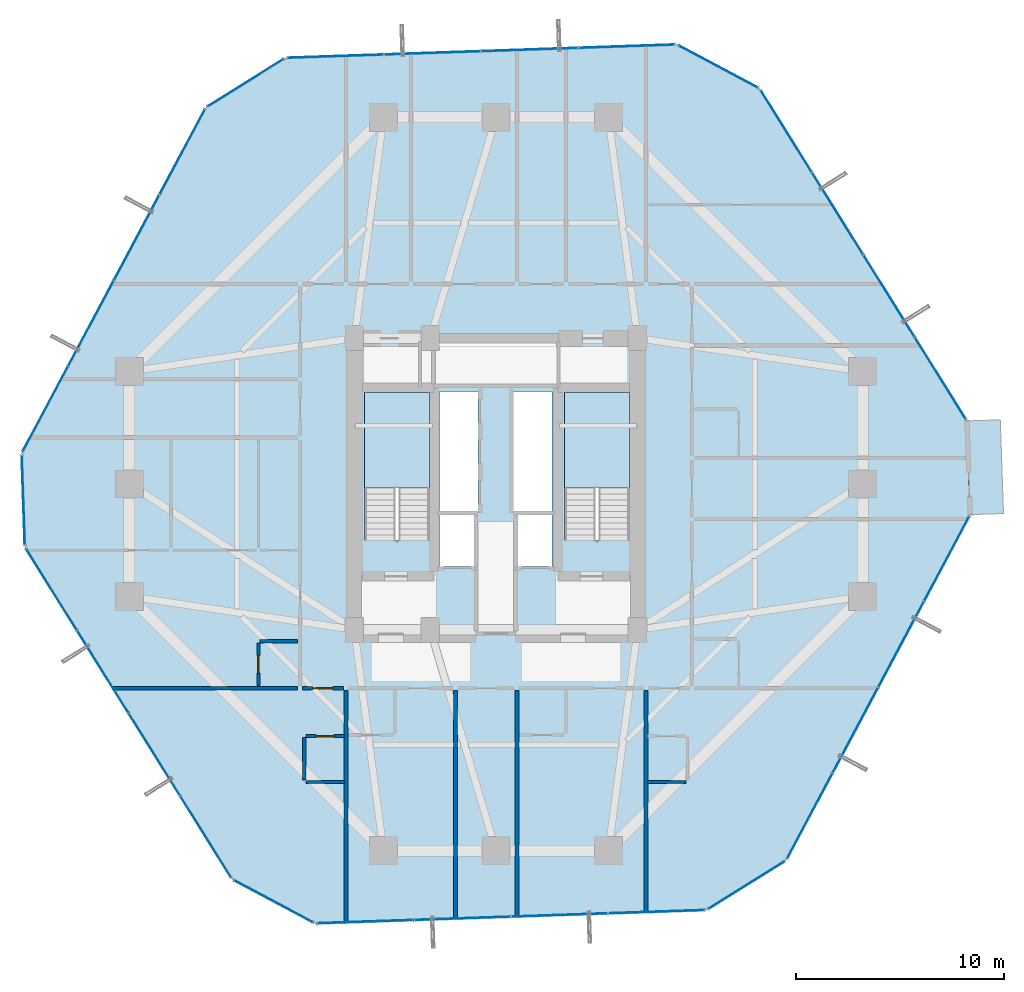
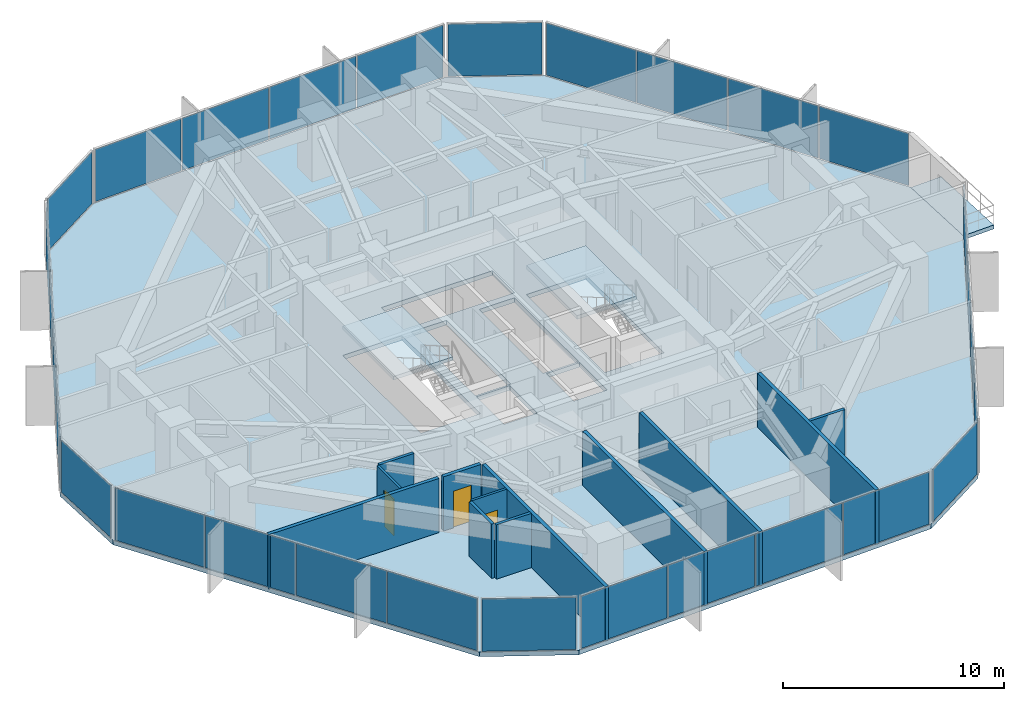
# One storey, part 34 of 39: 29 plates, 12 walls, 4 slabs, 3 doors, 3 openings, 13 elements without a shape of their own.
"""IFC4 building model written with IfcOpenShell, lengths in metres."""

from ifc_helpers import new_model, si_unit, direction, frame, frame_2d, origin, origin_2d, place, context, subcontext, project, spatial, polyline, rectangle, outline, extrude, source, transform, mapped, material, layer, layer_set, type_object, element, fill, aggregate, save


model = new_model("IFC4")

# Units and contexts
model_context = context("Model", 3, precision=1e-05, world=origin(), true_north=direction((0.0, 1.0)))
body_context = subcontext(model_context, "Body", "Model", "MODEL_VIEW")
ifc_project = project(units=[si_unit("LENGTHUNIT", "METRE"), si_unit("AREAUNIT", "SQUARE_METRE"), si_unit("VOLUMEUNIT", "CUBIC_METRE"), si_unit("PLANEANGLEUNIT", "RADIAN"), si_unit("MASSUNIT", "GRAM", prefix="KILO")], contexts=[model_context])

# Site, building, storey
site_placement = place(None, origin())
site = spatial("IfcSite", under=ifc_project, at=site_placement, CompositionType="ELEMENT")
building_placement = place(site_placement, origin())
building = spatial("IfcBuilding", under=site, at=building_placement, Name="Veraguas Prism Commons", CompositionType="ELEMENT")
storey_placement = place(building_placement, frame((0.0, 0.0, 30.550048828125)))
storey = spatial("IfcBuildingStorey", under=building, at=storey_placement, Name="L07", CompositionType="ELEMENT", Elevation=30.550048828125)

# Stair, slab
ifc_material_1 = material(Name="Precast concrete C45/55", Category="concrete")
stair_type = type_object("IfcStairType", Name="Dogleg Core Stair 1480W 20R 05", PredefinedType="HALF_TURN_STAIR", material=ifc_material_1)
stair_1_placement = place(storey_placement, origin())
stair_1 = element("IfcStair", 1, at=stair_1_placement, inside=storey, type_object=stair_type, Name="Protected Exit Stair ST-01 L07", PredefinedType="HALF_TURN_STAIR")
ifc_layer_1 = layer(ifc_material_1, 0.199951171875, Name="Precast Stair and Ramp Landing Slab 200", Category="concrete")
ifc_layer_set_1 = layer_set([ifc_layer_1], Name="Precast concrete C45/55")
slab_type_1 = type_object("IfcSlabType", Name="Precast Stair and Ramp Landing Slab 200", PredefinedType="LANDING", material=ifc_layer_set_1)
slab_1_placement = place(storey_placement, frame((0.0, 0.0, 1.425048828125)))
slab_1 = element("IfcSlab", 2, at=slab_1_placement, type_object=slab_type_1, Name="ST-05 Landing 1", PredefinedType="LANDING", context=body_context, shape_type="SweptSolid", body=[
    extrude(outline(polyline([(20.800048828125, 23.800048828125), (20.800048828125, 28.39990234375), (17.68994140625, 28.39990234375), (17.68994140625, 23.800048828125), (20.800048828125, 23.800048828125)])), origin(), (0.0, 0.0, 1.0), 0.199951171875),
])
aggregate(stair_1, [slab_1])

stair_2_placement = place(storey_placement, origin())
stair_2 = element("IfcStair", 3, at=stair_2_placement, inside=storey, type_object=stair_type, Name="Protected Exit Stair ST-02 L07", PredefinedType="HALF_TURN_STAIR")
slab_2_placement = place(storey_placement, frame((0.0, 0.0, 1.425048828125)))
slab_2 = element("IfcSlab", 4, at=slab_2_placement, type_object=slab_type_1, Name="ST-05 Landing 1", PredefinedType="LANDING", context=body_context, shape_type="SweptSolid", body=[
    extrude(outline(polyline([(30.39990234375, 23.800048828125), (30.39990234375, 28.39990234375), (27.2900390625, 28.39990234375), (27.2900390625, 23.800048828125), (30.39990234375, 23.800048828125)])), origin(), (0.0, 0.0, 1.0), 0.199951171875),
])
aggregate(stair_2, [slab_2])

# Slabs
ifc_material_2 = material(Name="Concrete C45/55", Category="concrete")
ifc_layer_2 = layer(ifc_material_2, 0.219970703125, Name="Recessed Loggia and Terrace Slab RC 220", Category="concrete")
ifc_layer_set_2 = layer_set([ifc_layer_2], Name="Concrete C45/55")
slab_type_2 = type_object("IfcSlabType", Name="Recessed Loggia and Terrace Slab RC 220", PredefinedType="FLOOR", material=ifc_layer_set_2)
slab_3_placement = place(storey_placement, frame((0.0, 0.0, -0.219970703125)))
element("IfcSlab", 5, at=slab_3_placement, inside=storey, type_object=slab_type_2, Name="Recessed Corner Loggia L07-C1", PredefinedType="FLOOR", context=body_context, shape_type="SweptSolid", body=[
    extrude(outline(polyline([(46.74462890625, 22.527099609375), (48.36376953125, 22.58251953125), (48.209716796875, 27.079833984375), (46.5908203125, 27.0244140625), (46.74462890625, 22.527099609375)])), origin(), (0.0, 0.0, 1.0), 0.219970703125),
])
ifc_layer_3 = layer(ifc_material_2, 0.25, Name="Tower Lower Residential Floor Slab RC 250", Category="concrete")
ifc_layer_set_3 = layer_set([ifc_layer_3], Name="Concrete C45/55")
slab_type_3 = type_object("IfcSlabType", Name="Tower Lower Residential Floor Slab RC 250", PredefinedType="FLOOR", material=ifc_layer_set_3)
slab_4_placement = place(storey_placement, frame((0.0, 0.0, -0.25)))
element("IfcSlab", 6, at=slab_4_placement, inside=storey, type_object=slab_type_3, Name="Tower Floor Slab L07", PredefinedType="FLOOR", context=body_context, shape_type="SweptSolid", body=[
    extrude(outline(polyline([(46.7646484375, 22.527587890625), (46.610595703125, 27.025146484375), (36.6572265625, 42.978515625), (32.685546875, 45.093994140625), (13.892578125, 44.450927734375), (10.07470703125, 42.06884765625), (1.2353515625, 25.472412109375), (1.389404296875, 20.974853515625), (11.3427734375, 5.021484375), (15.314453125, 2.906005859375), (34.107421875, 3.549072265625), (37.92529296875, 5.93115234375), (46.7646484375, 22.527587890625)]), holes=[polyline([(20.800048828125, 21.31005859375), (20.800048828125, 28.39990234375), (17.68994140625, 28.39990234375), (17.68994140625, 21.31005859375), (20.800048828125, 21.31005859375)]), polyline([(30.39990234375, 21.31005859375), (30.39990234375, 28.39990234375), (27.2900390625, 28.39990234375), (27.2900390625, 21.31005859375), (30.39990234375, 21.31005859375)]), polyline([(21.300048828125, 22.64990234375), (23.14990234375, 22.64990234375), (23.14990234375, 28.449951171875), (21.300048828125, 28.449951171875), (21.300048828125, 22.64990234375)]), polyline([(24.85009765625, 22.64990234375), (26.699951171875, 22.64990234375), (26.699951171875, 28.449951171875), (24.85009765625, 28.449951171875), (24.85009765625, 22.64990234375)]), polyline([(21.10009765625, 28.800048828125), (26.89990234375, 28.800048828125), (26.89990234375, 30.800048828125), (21.10009765625, 30.800048828125), (21.10009765625, 28.800048828125)]), polyline([(21.300048828125, 20.050048828125), (23.050048828125, 20.050048828125), (23.050048828125, 22.550048828125), (21.300048828125, 22.550048828125), (21.300048828125, 20.050048828125)]), polyline([(24.949951171875, 20.050048828125), (26.699951171875, 20.050048828125), (26.699951171875, 22.550048828125), (24.949951171875, 22.550048828125), (24.949951171875, 20.050048828125)])]), origin(), (0.0, 0.0, 1.0), 0.25),
])

# Curtain wall, plates
ifc_material_3 = material(Name="Anodised aluminium EN AW-6063 T6", Category="aluminium")
ifc_layer_4 = layer(ifc_material_3, 0.169921875, Name="Unitised Flush Curtain Wall Zone 1", Category="aluminium")
ifc_layer_set_4 = layer_set([ifc_layer_4], Name="Anodised aluminium EN AW-6063 T6")
curtain_wall_type = type_object("IfcCurtainWallType", Name="Unitised Flush Curtain Wall Zone 1", PredefinedType="NOTDEFINED", material=ifc_layer_set_4)
curtain_wall_1_placement = place(storey_placement, origin())
curtain_wall_1 = element("IfcCurtainWall", 7, at=curtain_wall_1_placement, inside=storey, type_object=curtain_wall_type, Name="Tower Facade Curtain Wall L07-F1", PredefinedType="NOTDEFINED")
ifc_material_4 = material(Name="Laminated low-e glass", Category="glass")
ifc_layer_5 = layer(ifc_material_4, 0.028076171875, Name="Unitised Double Low-E Glazed Panel 28", Category="glass")
ifc_layer_set_5 = layer_set([ifc_layer_5], Name="Laminated low-e glass")
plate_type = type_object("IfcPlateType", Name="Unitised Double Low-E Glazed Panel 28", PredefinedType="CURTAIN_PANEL", material=ifc_layer_set_5)
shared_shape_1 = source(origin(), body_context, "Body", "SweptSolid", [
    extrude(rectangle(XDim=4.5810546875, YDim=0.028076171875, at=origin_2d()), origin(), (0.0, 0.0, 1.0), 2.889892578125),
])
plate_1_placement = place(storey_placement, frame((45.334716796875, 29.070068359375, 0.05517578125), z_axis=(0.0, 0.0, 1.0), x_axis=(-0.529324124343, 0.848419690594, 0.0)))
plate_1 = element("IfcPlate", 8, at=plate_1_placement, type_object=plate_type, Name="CW-Z1 Panel 1.1", PredefinedType="CURTAIN_PANEL", context=body_context, shape_type="MappedRepresentation", body=[
    mapped(shared_shape_1, transform((0.0, 0.0, 0.0), scale=1.0)),
])
plate_2_placement = place(storey_placement, frame((37.933349609375, 40.93359375, 0.05517578125), z_axis=(0.0, 0.0, 1.0), x_axis=(-0.529324124343, 0.848419690594, 0.0)))
plate_2 = element("IfcPlate", 9, at=plate_2_placement, type_object=plate_type, Name="CW-Z1 Panel 4.1", PredefinedType="CURTAIN_PANEL", context=body_context, shape_type="MappedRepresentation", body=[
    mapped(shared_shape_1, transform((0.0, 0.0, 0.0), scale=1.0)),
])

curtain_wall_2_placement = place(storey_placement, origin())
curtain_wall_2 = element("IfcCurtainWall", 10, at=curtain_wall_2_placement, inside=storey, type_object=curtain_wall_type, Name="Tower Facade Curtain Wall L07-F2", PredefinedType="NOTDEFINED")
plate_3_placement = place(storey_placement, frame((30.276611328125, 45.011474609375, 0.05517578125), z_axis=(0.0, 0.0, 1.0), x_axis=(-0.999415186666, -0.034194804603, 0.0)))
plate_3 = element("IfcPlate", 11, at=plate_3_placement, type_object=plate_type, Name="CW-Z1 Panel 1.1", PredefinedType="CURTAIN_PANEL", context=body_context, shape_type="MappedRepresentation", body=[
    mapped(shared_shape_1, transform((0.0, 0.0, 0.0), scale=1.0)),
])
plate_4_placement = place(storey_placement, frame((16.3017578125, 44.533447265625, 0.05517578125), z_axis=(0.0, 0.0, 1.0), x_axis=(-0.999415186666, -0.034194804603, 0.0)))
plate_4 = element("IfcPlate", 12, at=plate_4_placement, type_object=plate_type, Name="CW-Z1 Panel 4.1", PredefinedType="CURTAIN_PANEL", context=body_context, shape_type="MappedRepresentation", body=[
    mapped(shared_shape_1, transform((0.0, 0.0, 0.0), scale=1.0)),
])

curtain_wall_3_placement = place(storey_placement, origin())
curtain_wall_3 = element("IfcCurtainWall", 13, at=curtain_wall_3_placement, inside=storey, type_object=curtain_wall_type, Name="Tower Facade Curtain Wall L07-F4", PredefinedType="NOTDEFINED")
plate_5_placement = place(storey_placement, frame((2.665283203125, 18.929931640625, 0.05517578125), z_axis=(0.0, 0.0, 1.0), x_axis=(0.529324124343, -0.848419690594, 0.0)))
plate_5 = element("IfcPlate", 14, at=plate_5_placement, type_object=plate_type, Name="CW-Z1 Panel 1.1", PredefinedType="CURTAIN_PANEL", context=body_context, shape_type="MappedRepresentation", body=[
    mapped(shared_shape_1, transform((0.0, 0.0, 0.0), scale=1.0)),
])
plate_6_placement = place(storey_placement, frame((10.066650390625, 7.06640625, 0.05517578125), z_axis=(0.0, 0.0, 1.0), x_axis=(0.529324124343, -0.848419690594, 0.0)))
plate_6 = element("IfcPlate", 15, at=plate_6_placement, type_object=plate_type, Name="CW-Z1 Panel 4.1", PredefinedType="CURTAIN_PANEL", context=body_context, shape_type="MappedRepresentation", body=[
    mapped(shared_shape_1, transform((0.0, 0.0, 0.0), scale=1.0)),
])

curtain_wall_4_placement = place(storey_placement, origin())
curtain_wall_4 = element("IfcCurtainWall", 16, at=curtain_wall_4_placement, inside=storey, type_object=curtain_wall_type, Name="Tower Facade Curtain Wall L07-F5", PredefinedType="NOTDEFINED")
plate_7_placement = place(storey_placement, frame((17.723388671875, 2.988525390625, 0.05517578125), z_axis=(0.0, 0.0, 1.0), x_axis=(0.999415186666, 0.034194804603, 0.0)))
plate_7 = element("IfcPlate", 17, at=plate_7_placement, type_object=plate_type, Name="CW-Z1 Panel 1.1", PredefinedType="CURTAIN_PANEL", context=body_context, shape_type="MappedRepresentation", body=[
    mapped(shared_shape_1, transform((0.0, 0.0, 0.0), scale=1.0)),
])
plate_8_placement = place(storey_placement, frame((31.6982421875, 3.466552734375, 0.05517578125), z_axis=(0.0, 0.0, 1.0), x_axis=(0.999415186666, 0.034194804603, 0.0)))
plate_8 = element("IfcPlate", 18, at=plate_8_placement, type_object=plate_type, Name="CW-Z1 Panel 4.1", PredefinedType="CURTAIN_PANEL", context=body_context, shape_type="MappedRepresentation", body=[
    mapped(shared_shape_1, transform((0.0, 0.0, 0.0), scale=1.0)),
])

# Plate
shared_shape_2 = source(origin(), body_context, "Body", "SweptSolid", [
    extrude(rectangle(XDim=4.61083984375, YDim=0.028076171875, at=origin_2d()), origin(), (0.0, 0.0, 1.0), 2.889892578125),
])
plate_9_placement = place(storey_placement, frame((42.8701171875, 33.0205078125, 0.05517578125), z_axis=(0.0, 0.0, 1.0), x_axis=(-0.529324124343, 0.848419690594, 0.0)))
plate_9 = element("IfcPlate", 19, at=plate_9_placement, type_object=plate_type, Name="CW-Z1 Panel 2.1", PredefinedType="CURTAIN_PANEL", context=body_context, shape_type="MappedRepresentation", body=[
    mapped(shared_shape_2, transform((0.0, 0.0, 0.0), scale=1.0)),
])

plate_10_placement = place(storey_placement, frame((40.397705078125, 36.9833984375, 0.05517578125), z_axis=(0.0, 0.0, 1.0), x_axis=(-0.529324124343, 0.848419690594, 0.0)))
plate_10 = element("IfcPlate", 20, at=plate_10_placement, type_object=plate_type, Name="CW-Z1 Panel 3.1", PredefinedType="CURTAIN_PANEL", context=body_context, shape_type="MappedRepresentation", body=[
    mapped(shared_shape_2, transform((0.0, 0.0, 0.0), scale=1.0)),
])

aggregate(curtain_wall_1, [plate_1, plate_9, plate_10, plate_2])

plate_11_placement = place(storey_placement, frame((25.623291015625, 44.852294921875, 0.05517578125), z_axis=(0.0, 0.0, 1.0), x_axis=(-0.999415186666, -0.034194804603, 0.0)))
plate_11 = element("IfcPlate", 21, at=plate_11_placement, type_object=plate_type, Name="CW-Z1 Panel 2.1", PredefinedType="CURTAIN_PANEL", context=body_context, shape_type="MappedRepresentation", body=[
    mapped(shared_shape_2, transform((0.0, 0.0, 0.0), scale=1.0)),
])

plate_12_placement = place(storey_placement, frame((20.955078125, 44.692626953125, 0.05517578125), z_axis=(0.0, 0.0, 1.0), x_axis=(-0.999415186666, -0.034194804603, 0.0)))
plate_12 = element("IfcPlate", 22, at=plate_12_placement, type_object=plate_type, Name="CW-Z1 Panel 3.1", PredefinedType="CURTAIN_PANEL", context=body_context, shape_type="MappedRepresentation", body=[
    mapped(shared_shape_2, transform((0.0, 0.0, 0.0), scale=1.0)),
])

aggregate(curtain_wall_2, [plate_3, plate_11, plate_12, plate_4])

# Curtain wall, plates
curtain_wall_5_placement = place(storey_placement, origin())
curtain_wall_5 = element("IfcCurtainWall", 23, at=curtain_wall_5_placement, inside=storey, type_object=curtain_wall_type, Name="Tower Facade Curtain Wall L07-F3", PredefinedType="NOTDEFINED")
plate_13_placement = place(storey_placement, frame((6.7529296875, 35.83203125, 0.05517578125), z_axis=(0.0, 0.0, 1.0), x_axis=(-0.470089402494, -0.882618804277, 0.0)))
plate_13 = element("IfcPlate", 24, at=plate_13_placement, type_object=plate_type, Name="CW-Z1 Panel 2.1", PredefinedType="CURTAIN_PANEL", context=body_context, shape_type="MappedRepresentation", body=[
    mapped(shared_shape_2, transform((0.0, 0.0, 0.0), scale=1.0)),
])
plate_14_placement = place(storey_placement, frame((4.55712890625, 31.709228515625, 0.05517578125), z_axis=(0.0, 0.0, 1.0), x_axis=(-0.470089402494, -0.882618804277, 0.0)))
plate_14 = element("IfcPlate", 25, at=plate_14_placement, type_object=plate_type, Name="CW-Z1 Panel 3.1", PredefinedType="CURTAIN_PANEL", context=body_context, shape_type="MappedRepresentation", body=[
    mapped(shared_shape_2, transform((0.0, 0.0, 0.0), scale=1.0)),
])

# Plate
plate_15_placement = place(storey_placement, frame((5.1298828125, 14.9794921875, 0.05517578125), z_axis=(0.0, 0.0, 1.0), x_axis=(0.529324124343, -0.848419690594, 0.0)))
plate_15 = element("IfcPlate", 26, at=plate_15_placement, type_object=plate_type, Name="CW-Z1 Panel 2.1", PredefinedType="CURTAIN_PANEL", context=body_context, shape_type="MappedRepresentation", body=[
    mapped(shared_shape_2, transform((0.0, 0.0, 0.0), scale=1.0)),
])

plate_16_placement = place(storey_placement, frame((7.602294921875, 11.0166015625, 0.05517578125), z_axis=(0.0, 0.0, 1.0), x_axis=(0.529324124343, -0.848419690594, 0.0)))
plate_16 = element("IfcPlate", 27, at=plate_16_placement, type_object=plate_type, Name="CW-Z1 Panel 3.1", PredefinedType="CURTAIN_PANEL", context=body_context, shape_type="MappedRepresentation", body=[
    mapped(shared_shape_2, transform((0.0, 0.0, 0.0), scale=1.0)),
])

aggregate(curtain_wall_3, [plate_5, plate_15, plate_16, plate_6])

plate_17_placement = place(storey_placement, frame((22.376708984375, 3.147705078125, 0.05517578125), z_axis=(0.0, 0.0, 1.0), x_axis=(0.999415186666, 0.034194804603, 0.0)))
plate_17 = element("IfcPlate", 28, at=plate_17_placement, type_object=plate_type, Name="CW-Z1 Panel 2.1", PredefinedType="CURTAIN_PANEL", context=body_context, shape_type="MappedRepresentation", body=[
    mapped(shared_shape_2, transform((0.0, 0.0, 0.0), scale=1.0)),
])

plate_18_placement = place(storey_placement, frame((27.044921875, 3.307373046875, 0.05517578125), z_axis=(0.0, 0.0, 1.0), x_axis=(0.999415186666, 0.034194804603, 0.0)))
plate_18 = element("IfcPlate", 29, at=plate_18_placement, type_object=plate_type, Name="CW-Z1 Panel 3.1", PredefinedType="CURTAIN_PANEL", context=body_context, shape_type="MappedRepresentation", body=[
    mapped(shared_shape_2, transform((0.0, 0.0, 0.0), scale=1.0)),
])

aggregate(curtain_wall_4, [plate_7, plate_17, plate_18, plate_8])

# Curtain wall, plates
curtain_wall_6_placement = place(storey_placement, origin())
curtain_wall_6 = element("IfcCurtainWall", 30, at=curtain_wall_6_placement, inside=storey, type_object=curtain_wall_type, Name="Tower Facade Curtain Wall L07-F6", PredefinedType="NOTDEFINED")
plate_19_placement = place(storey_placement, frame((41.2470703125, 12.16796875, 0.05517578125), z_axis=(0.0, 0.0, 1.0), x_axis=(0.470089402494, 0.882618804277, 0.0)))
plate_19 = element("IfcPlate", 31, at=plate_19_placement, type_object=plate_type, Name="CW-Z1 Panel 2.1", PredefinedType="CURTAIN_PANEL", context=body_context, shape_type="MappedRepresentation", body=[
    mapped(shared_shape_2, transform((0.0, 0.0, 0.0), scale=1.0)),
])
plate_20_placement = place(storey_placement, frame((43.44287109375, 16.290771484375, 0.05517578125), z_axis=(0.0, 0.0, 1.0), x_axis=(0.470089402494, 0.882618804277, 0.0)))
plate_20 = element("IfcPlate", 32, at=plate_20_placement, type_object=plate_type, Name="CW-Z1 Panel 3.1", PredefinedType="CURTAIN_PANEL", context=body_context, shape_type="MappedRepresentation", body=[
    mapped(shared_shape_2, transform((0.0, 0.0, 0.0), scale=1.0)),
])

# Curtain wall, plate
curtain_wall_7_placement = place(storey_placement, origin())
curtain_wall_7 = element("IfcCurtainWall", 33, at=curtain_wall_7_placement, inside=storey, type_object=curtain_wall_type, Name="Chamfer Curtain Wall L07-C3", PredefinedType="NOTDEFINED")
shared_shape_3 = source(origin(), body_context, "Body", "SweptSolid", [
    extrude(rectangle(XDim=4.260009765625, YDim=0.028076171875, at=origin_2d()), origin(), (0.0, 0.0, 1.0), 2.889892578125),
])
plate_21_placement = place(storey_placement, frame((11.983642578125, 43.260009765625, 0.05517578125), z_axis=(0.0, 0.0, 1.0), x_axis=(-0.848425233617, -0.529315239684, 0.0)))
plate_21 = element("IfcPlate", 34, at=plate_21_placement, type_object=plate_type, Name="CW-Z1 Panel 1.1", PredefinedType="CURTAIN_PANEL", context=body_context, shape_type="MappedRepresentation", body=[
    mapped(shared_shape_3, transform((0.0, 0.0, 0.0), scale=1.0)),
])
aggregate(curtain_wall_7, [plate_21])

curtain_wall_8_placement = place(storey_placement, origin())
curtain_wall_8 = element("IfcCurtainWall", 35, at=curtain_wall_8_placement, inside=storey, type_object=curtain_wall_type, Name="Chamfer Curtain Wall L07-C4", PredefinedType="NOTDEFINED")
plate_22_placement = place(storey_placement, frame((1.312255859375, 23.2236328125, 0.05517578125), z_axis=(0.0, 0.0, 1.0), x_axis=(0.034179105822, -0.999415723673, 0.0)))
plate_22 = element("IfcPlate", 36, at=plate_22_placement, type_object=plate_type, Name="CW-Z1 Panel 1.1", PredefinedType="CURTAIN_PANEL", context=body_context, shape_type="MappedRepresentation", body=[
    mapped(shared_shape_3, transform((0.0, 0.0, 0.0), scale=1.0)),
])
aggregate(curtain_wall_8, [plate_22])

curtain_wall_9_placement = place(storey_placement, origin())
curtain_wall_9 = element("IfcCurtainWall", 37, at=curtain_wall_9_placement, inside=storey, type_object=curtain_wall_type, Name="Chamfer Curtain Wall L07-C6", PredefinedType="NOTDEFINED")
plate_23_placement = place(storey_placement, frame((36.016357421875, 4.739990234375, 0.05517578125), z_axis=(0.0, 0.0, 1.0), x_axis=(0.848425233617, 0.529315239684, 0.0)))
plate_23 = element("IfcPlate", 38, at=plate_23_placement, type_object=plate_type, Name="CW-Z1 Panel 1.1", PredefinedType="CURTAIN_PANEL", context=body_context, shape_type="MappedRepresentation", body=[
    mapped(shared_shape_3, transform((0.0, 0.0, 0.0), scale=1.0)),
])
aggregate(curtain_wall_9, [plate_23])

# Plate
shared_shape_4 = source(origin(), body_context, "Body", "SweptSolid", [
    extrude(rectangle(XDim=4.580810546875, YDim=0.028076171875, at=origin_2d()), origin(), (0.0, 0.0, 1.0), 2.889892578125),
])
plate_24_placement = place(storey_placement, frame((8.941650390625, 39.94140625, 0.05517578125), z_axis=(0.0, 0.0, 1.0), x_axis=(-0.470089402494, -0.882618804277, 0.0)))
plate_24 = element("IfcPlate", 39, at=plate_24_placement, type_object=plate_type, Name="CW-Z1 Panel 1.1", PredefinedType="CURTAIN_PANEL", context=body_context, shape_type="MappedRepresentation", body=[
    mapped(shared_shape_4, transform((0.0, 0.0, 0.0), scale=1.0)),
])

plate_25_placement = place(storey_placement, frame((2.368408203125, 27.599853515625, 0.05517578125), z_axis=(0.0, 0.0, 1.0), x_axis=(-0.470089402494, -0.882618804277, 0.0)))
plate_25 = element("IfcPlate", 40, at=plate_25_placement, type_object=plate_type, Name="CW-Z1 Panel 4.1", PredefinedType="CURTAIN_PANEL", context=body_context, shape_type="MappedRepresentation", body=[
    mapped(shared_shape_4, transform((0.0, 0.0, 0.0), scale=1.0)),
])

aggregate(curtain_wall_5, [plate_24, plate_13, plate_14, plate_25])

plate_26_placement = place(storey_placement, frame((39.058349609375, 8.05859375, 0.05517578125), z_axis=(0.0, 0.0, 1.0), x_axis=(0.470089402494, 0.882618804277, 0.0)))
plate_26 = element("IfcPlate", 41, at=plate_26_placement, type_object=plate_type, Name="CW-Z1 Panel 1.1", PredefinedType="CURTAIN_PANEL", context=body_context, shape_type="MappedRepresentation", body=[
    mapped(shared_shape_4, transform((0.0, 0.0, 0.0), scale=1.0)),
])

plate_27_placement = place(storey_placement, frame((45.631591796875, 20.400146484375, 0.05517578125), z_axis=(0.0, 0.0, 1.0), x_axis=(0.470089402494, 0.882618804277, 0.0)))
plate_27 = element("IfcPlate", 42, at=plate_27_placement, type_object=plate_type, Name="CW-Z1 Panel 4.1", PredefinedType="CURTAIN_PANEL", context=body_context, shape_type="MappedRepresentation", body=[
    mapped(shared_shape_4, transform((0.0, 0.0, 0.0), scale=1.0)),
])

aggregate(curtain_wall_6, [plate_26, plate_19, plate_20, plate_27])

# Curtain wall, plate
curtain_wall_10_placement = place(storey_placement, origin())
curtain_wall_10 = element("IfcCurtainWall", 43, at=curtain_wall_10_placement, inside=storey, type_object=curtain_wall_type, Name="Chamfer Curtain Wall L07-C2", PredefinedType="NOTDEFINED")
shared_shape_5 = source(origin(), body_context, "Body", "SweptSolid", [
    extrude(rectangle(XDim=4.259765625, YDim=0.028076171875, at=origin_2d()), origin(), (0.0, 0.0, 1.0), 2.889892578125),
])
plate_28_placement = place(storey_placement, frame((34.67138671875, 44.036376953125, 0.05517578125), z_axis=(0.0, 0.0, 1.0), x_axis=(-0.882609779045, 0.470106347472, 0.0)))
plate_28 = element("IfcPlate", 44, at=plate_28_placement, type_object=plate_type, Name="CW-Z1 Panel 1.1", PredefinedType="CURTAIN_PANEL", context=body_context, shape_type="MappedRepresentation", body=[
    mapped(shared_shape_5, transform((0.0, 0.0, 0.0), scale=1.0)),
])
aggregate(curtain_wall_10, [plate_28])

curtain_wall_11_placement = place(storey_placement, origin())
curtain_wall_11 = element("IfcCurtainWall", 45, at=curtain_wall_11_placement, inside=storey, type_object=curtain_wall_type, Name="Chamfer Curtain Wall L07-C5", PredefinedType="NOTDEFINED")
plate_29_placement = place(storey_placement, frame((13.32861328125, 3.963623046875, 0.05517578125), z_axis=(0.0, 0.0, 1.0), x_axis=(0.882609779045, -0.470106347472, 0.0)))
plate_29 = element("IfcPlate", 46, at=plate_29_placement, type_object=plate_type, Name="CW-Z1 Panel 1.1", PredefinedType="CURTAIN_PANEL", context=body_context, shape_type="MappedRepresentation", body=[
    mapped(shared_shape_5, transform((0.0, 0.0, 0.0), scale=1.0)),
])
aggregate(curtain_wall_11, [plate_29])

# Walls
ifc_material_5 = material(Name="Autoclaved aerated masonry block 10 MPa", Category="masonry")
ifc_layer_6 = layer(ifc_material_5, 0.179931640625, Name="Corridor and Inter-Tenancy Partition 180", Category="masonry")
ifc_layer_set_6 = layer_set([ifc_layer_6], Name="Autoclaved aerated masonry block 10 MPa")
wall_type_1 = type_object("IfcWallType", Name="Corridor and Inter-Tenancy Partition 180", PredefinedType="PARTITIONING", material=ifc_layer_set_6)
wall_1_placement = place(storey_placement, frame((16.800048828125, 14.080078125, 0.0), z_axis=(0.0, 0.0, 1.0), x_axis=(0.0, -1.0, 0.0)))
element("IfcWall", 47, at=wall_1_placement, inside=storey, type_object=wall_type_1, Name="WL-L07-PT001", PredefinedType="PARTITIONING", context=body_context, shape_type="SweptSolid", body=[
    extrude(rectangle(XDim=11.1533203125, YDim=0.179931640625, at=frame_2d((5.57666015625, 0.0))), origin(), (0.0, 0.0, 1.0), 3.0),
])
wall_2_placement = place(storey_placement, frame((31.199951171875, 14.080078125, 0.0), z_axis=(0.0, 0.0, 1.0), x_axis=(0.0, -1.0, 0.0)))
element("IfcWall", 48, at=wall_2_placement, inside=storey, type_object=wall_type_1, Name="WL-L07-PT002", PredefinedType="PARTITIONING", context=body_context, shape_type="SweptSolid", body=[
    extrude(rectangle(XDim=10.660400390625, YDim=0.179931640625, at=frame_2d((5.330078125, 0.0))), origin(), (0.0, 0.0, 1.0), 3.0),
])
wall_3_placement = place(storey_placement, frame((22.05810546875, 14.080078125, 0.0), z_axis=(0.0, 0.0, 1.0), x_axis=(0.0, -1.0, 0.0)))
element("IfcWall", 49, at=wall_3_placement, inside=storey, type_object=wall_type_1, Name="WL-L07-PT004", PredefinedType="PARTITIONING", context=body_context, shape_type="SweptSolid", body=[
    extrude(rectangle(XDim=10.973388671875, YDim=0.179931640625, at=frame_2d((5.48681640625, 0.0))), origin(), (0.0, 0.0, 1.0), 3.0),
])
wall_4_placement = place(storey_placement, frame((25.008056640625, 14.080078125, 0.0), z_axis=(0.0, 0.0, 1.0), x_axis=(0.0, -1.0, 0.0)))
element("IfcWall", 50, at=wall_4_placement, inside=storey, type_object=wall_type_1, Name="WL-L07-PT008", PredefinedType="PARTITIONING", context=body_context, shape_type="SweptSolid", body=[
    extrude(rectangle(XDim=10.872314453125, YDim=0.179931640625, at=frame_2d((5.43603515625, 0.0))), origin(), (0.0, 0.0, 1.0), 3.0),
])
wall_5_placement = place(storey_placement, frame((14.47998046875, 14.199951171875, 0.0), z_axis=(0.0, 0.0, 1.0), x_axis=(-1.0, 0.0, 0.0)))
element("IfcWall", 51, at=wall_5_placement, inside=storey, type_object=wall_type_1, Name="WL-L07-PT021", PredefinedType="PARTITIONING", context=body_context, shape_type="SweptSolid", body=[
    extrude(rectangle(XDim=8.899169921875, YDim=0.179931640625, at=frame_2d((4.44970703125, 0.0))), origin(), (0.0, 0.0, 1.0), 3.0),
])

# Wall, opening, door
wall_6_placement = place(storey_placement, frame((14.719970703125, 14.199951171875, 0.0), z_axis=(0.0, 0.0, 1.0), x_axis=(1.0, 0.0, 0.0)))
wall_6 = element("IfcWall", 52, at=wall_6_placement, inside=storey, type_object=wall_type_1, Name="WL-L07-PT048", PredefinedType="PARTITIONING", context=body_context, shape_type="SweptSolid", body=[
    extrude(rectangle(XDim=1.9599609375, YDim=0.179931640625, at=frame_2d((0.97998046875, 0.0))), origin(), (0.0, 0.0, 1.0), 3.0),
])
opening_1_placement = place(wall_6_placement, frame((0.5048828125, 0.0, 0.0)))
opening_1 = element("IfcOpeningElement", 53, at=opening_1_placement, cuts=wall_6, Name="Opening DR-01", PredefinedType="OPENING", context=body_context, shape_type="SweptSolid", body=[
    extrude(rectangle(XDim=0.949951171875, YDim=2.02001953125, at=frame_2d((0.47509765625, 1.010009765625))), frame((0.0, 0.099853515625, 0.0), z_axis=(0.0, -1.0, 0.0), x_axis=(1.0, 0.0, 0.0)), (0.0, 0.0, 1.0), 0.199951171875),
])
door_type_1 = type_object("IfcDoorType", Name="Apartment Entrance Fire Door 950x2020", OperationType="NOTDEFINED", PredefinedType="DOOR", material=ifc_material_3)
shared_shape_6 = source(origin(), body_context, "Body", "SweptSolid", [
    extrude(rectangle(XDim=0.949951171875, YDim=2.02001953125, at=frame_2d((0.47509765625, 1.010009765625))), frame((0.0, 0.02490234375, 0.0), z_axis=(0.0, -1.0, 0.0), x_axis=(1.0, 0.0, 0.0)), (0.0, 0.0, 1.0), 0.050048828125),
])
door_1_placement = place(opening_1_placement, origin())
door_1 = element("IfcDoor", 54, at=door_1_placement, inside=storey, type_object=door_type_1, Name="Studio 07F Entrance Door", OperationType="SINGLE_SWING_LEFT", OverallHeight=2.02001953125, OverallWidth=0.949951171875, PredefinedType="DOOR", context=body_context, shape_type="MappedRepresentation", body=[
    mapped(shared_shape_6, transform((0.0, 0.0, 0.0), scale=1.0)),
])
fill(opening_1, door_1)

ifc_material_6 = material(Name="Lightweight acoustic gypsum board")
ifc_layer_7 = layer(ifc_material_6, 0.125, Name="Internal Apartment Room Partition 125")
ifc_layer_set_7 = layer_set([ifc_layer_7], Name="Lightweight acoustic gypsum board")
wall_type_2 = type_object("IfcWallType", Name="Internal Apartment Room Partition 125", PredefinedType="PARTITIONING", material=ifc_layer_set_7)
wall_7_placement = place(storey_placement, frame((12.60009765625, 14.320068359375, 0.0), z_axis=(0.0, 0.0, 1.0), x_axis=(0.0, 1.0, 0.0)))
wall_7 = element("IfcWall", 55, at=wall_7_placement, inside=storey, type_object=wall_type_2, Name="WL-L07-PT025", PredefinedType="PARTITIONING", context=body_context, shape_type="SweptSolid", body=[
    extrude(rectangle(XDim=2.050048828125, YDim=0.125, at=frame_2d((1.02490234375, 0.0))), origin(), (0.0, 0.0, 1.0), 3.0),
])
opening_2_placement = place(wall_7_placement, frame((0.594970703125, 0.0, 0.0)))
opening_2 = element("IfcOpeningElement", 56, at=opening_2_placement, cuts=wall_7, Name="Opening DR-03", PredefinedType="OPENING", context=body_context, shape_type="SweptSolid", body=[
    extrude(rectangle(XDim=0.860107421875, YDim=2.010009765625, at=frame_2d((0.43017578125, 1.0048828125))), frame((0.0, 0.072509765625, 0.0), z_axis=(0.0, -1.0, 0.0), x_axis=(1.0, 0.0, 0.0)), (0.0, 0.0, 1.0), 0.14501953125),
])
ifc_material_7 = material(Name="Timber moisture-resistant leaf", Category="wood")
door_type_2 = type_object("IfcDoorType", Name="Internal Bathroom Door 860x2010", OperationType="NOTDEFINED", PredefinedType="DOOR", material=ifc_material_7)
shared_shape_7 = source(origin(), body_context, "Body", "SweptSolid", [
    extrude(rectangle(XDim=0.860107421875, YDim=2.010009765625, at=frame_2d((0.43017578125, 1.0048828125))), frame((0.0, 0.02490234375, 0.0), z_axis=(0.0, -1.0, 0.0), x_axis=(1.0, 0.0, 0.0)), (0.0, 0.0, 1.0), 0.050048828125),
])
door_2_placement = place(opening_2_placement, origin())
door_2 = element("IfcDoor", 57, at=door_2_placement, inside=storey, type_object=door_type_2, Name="Flat 07C Bathroom Door", OperationType="SINGLE_SWING_LEFT", OverallHeight=2.010009765625, OverallWidth=0.860107421875, PredefinedType="DOOR", context=body_context, shape_type="MappedRepresentation", body=[
    mapped(shared_shape_7, transform((0.0, 0.0, 0.0), scale=1.0)),
])
fill(opening_2, door_2)

wall_8_placement = place(storey_placement, frame((14.8798828125, 11.89990234375, 0.0), z_axis=(0.0, 0.0, 1.0), x_axis=(1.0, 0.0, 0.0)))
wall_8 = element("IfcWall", 58, at=wall_8_placement, inside=storey, type_object=wall_type_2, Name="WL-L07-PT049", PredefinedType="PARTITIONING", context=body_context, shape_type="SweptSolid", body=[
    extrude(rectangle(XDim=1.840087890625, YDim=0.125, at=frame_2d((0.919921875, 0.0))), origin(), (0.0, 0.0, 1.0), 3.0),
])
opening_3_placement = place(wall_8_placement, frame((0.489990234375, 0.0, 0.0)))
opening_3 = element("IfcOpeningElement", 59, at=opening_3_placement, cuts=wall_8, Name="Opening DR-03", PredefinedType="OPENING", context=body_context, shape_type="SweptSolid", body=[
    extrude(rectangle(XDim=0.860107421875, YDim=2.010009765625, at=frame_2d((0.43017578125, 1.0048828125))), frame((0.0, 0.072509765625, 0.0), z_axis=(0.0, -1.0, 0.0), x_axis=(1.0, 0.0, 0.0)), (0.0, 0.0, 1.0), 0.14501953125),
])
door_3_placement = place(opening_3_placement, origin())
door_3 = element("IfcDoor", 60, at=door_3_placement, inside=storey, type_object=door_type_2, Name="Studio 07F Bathroom Door", OperationType="SINGLE_SWING_RIGHT", OverallHeight=2.010009765625, OverallWidth=0.860107421875, PredefinedType="DOOR", context=body_context, shape_type="MappedRepresentation", body=[
    mapped(shared_shape_7, transform((0.0, 0.0, 0.0), scale=1.0)),
])
fill(opening_3, door_3)

# Walls
ifc_layer_8 = layer(ifc_material_6, 0.14990234375, Name="Wet Room and Clinic Acoustic Partition 150")
ifc_layer_set_8 = layer_set([ifc_layer_8], Name="Lightweight acoustic gypsum board")
wall_type_3 = type_object("IfcWallType", Name="Wet Room and Clinic Acoustic Partition 150", PredefinedType="PARTITIONING", material=ifc_layer_set_8)
wall_9_placement = place(storey_placement, frame((14.47998046875, 16.449951171875, 0.0), z_axis=(0.0, 0.0, 1.0), x_axis=(-1.0, 0.0, 0.0)))
element("IfcWall", 61, at=wall_9_placement, inside=storey, type_object=wall_type_3, Name="WL-L07-PT024", PredefinedType="PARTITIONING", context=body_context, shape_type="SweptSolid", body=[
    extrude(rectangle(XDim=1.800048828125, YDim=0.14990234375, at=frame_2d((0.89990234375, 0.0))), origin(), (0.0, 0.0, 1.0), 3.0),
])
wall_10_placement = place(storey_placement, frame((14.8798828125, 9.699951171875, 0.0), z_axis=(0.0, 0.0, 1.0), x_axis=(1.0, 0.0, 0.0)))
element("IfcWall", 62, at=wall_10_placement, inside=storey, type_object=wall_type_3, Name="WL-L07-PT050", PredefinedType="PARTITIONING", context=body_context, shape_type="SweptSolid", body=[
    extrude(rectangle(XDim=1.840087890625, YDim=0.14990234375, at=frame_2d((0.919921875, 0.0))), origin(), (0.0, 0.0, 1.0), 3.0),
])
wall_11_placement = place(storey_placement, frame((14.800048828125, 9.780029296875, 0.0), z_axis=(0.0, 0.0, 1.0), x_axis=(0.0, 1.0, 0.0)))
element("IfcWall", 63, at=wall_11_placement, inside=storey, type_object=wall_type_3, Name="WL-L07-PT051", PredefinedType="PARTITIONING", context=body_context, shape_type="SweptSolid", body=[
    extrude(rectangle(XDim=2.0400390625, YDim=0.14990234375, at=frame_2d((1.02001953125, 0.0))), origin(), (0.0, 0.0, 1.0), 3.0),
])
wall_12_placement = place(storey_placement, frame((31.280029296875, 9.699951171875, 0.0), z_axis=(0.0, 0.0, 1.0), x_axis=(1.0, 0.0, 0.0)))
element("IfcWall", 64, at=wall_12_placement, inside=storey, type_object=wall_type_3, Name="WL-L07-PT054", PredefinedType="PARTITIONING", context=body_context, shape_type="SweptSolid", body=[
    extrude(rectangle(XDim=1.840087890625, YDim=0.14990234375, at=frame_2d((0.919921875, 0.0))), origin(), (0.0, 0.0, 1.0), 3.0),
])

save(model, "model.ifc")
